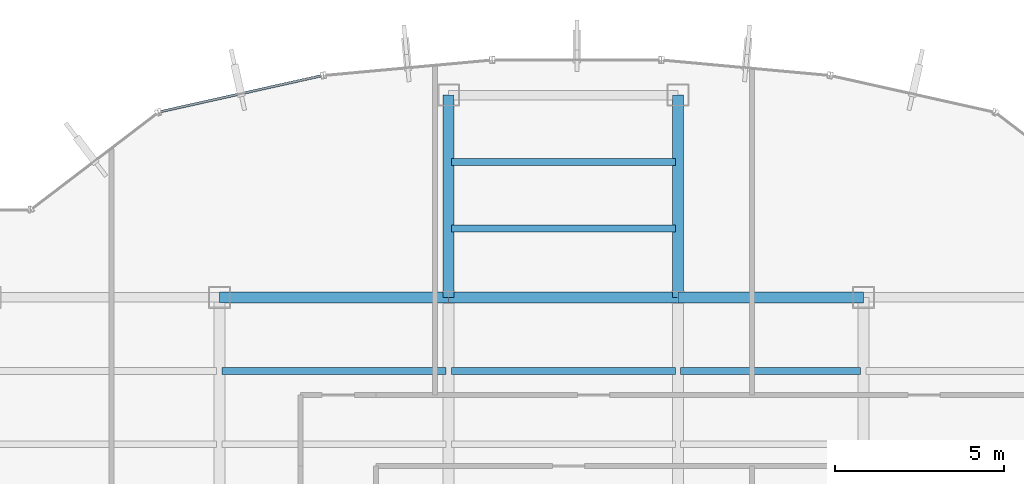
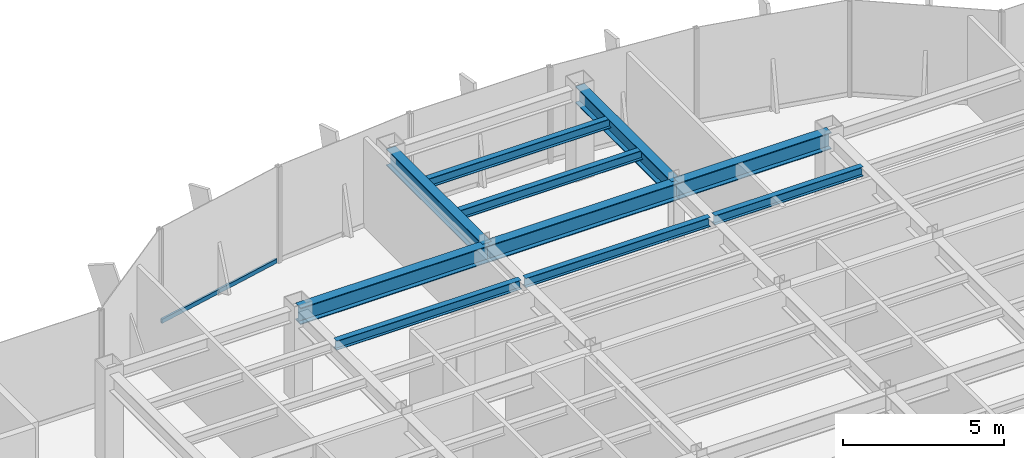
# One storey, part 15 of 25: 10 beams, 1 member, 1 element without a shape of its own.
"""IFC4 building model written with IfcOpenShell, lengths in metres."""

from ifc_helpers import new_model, si_unit, derived_unit, direction, frame, origin, origin_2d, place, context, subcontext, project, spatial, hollow_rectangle, i_section, extrude, source, transform, mapped, material, material_profile, profile_set, type_object, element, aggregate, save


model = new_model("IFC4")

# Units and contexts
model_context = context("Model", 3, precision=1e-05, world=origin(), true_north=direction((0.0, 1.0)))
body_context = subcontext(model_context, "Body", "Model", "MODEL_VIEW")
ifc_project = project(units=[si_unit("LENGTHUNIT", "METRE"), si_unit("AREAUNIT", "SQUARE_METRE"), si_unit("VOLUMEUNIT", "CUBIC_METRE"), si_unit("PLANEANGLEUNIT", "RADIAN"), si_unit("MASSUNIT", "GRAM", prefix="KILO"), derived_unit("THERMALTRANSMITTANCEUNIT", [(si_unit("POWERUNIT", "WATT"), 1), (si_unit("LENGTHUNIT", "METRE"), -2), (si_unit("THERMODYNAMICTEMPERATUREUNIT", "KELVIN"), -1)])], contexts=[model_context])

# Site, building, storey
site_placement = place(None, origin())
site = spatial("IfcSite", under=ifc_project, at=site_placement, CompositionType="ELEMENT")
building_placement = place(site_placement, origin())
building = spatial("IfcBuilding", under=site, at=building_placement, Name="Skarnbrae Concourse Arena and Tower", CompositionType="ELEMENT")
storey_placement = place(building_placement, frame((0.0, 0.0, 144.25)))
storey = spatial("IfcBuildingStorey", under=building, at=storey_placement, Name="L36", CompositionType="ELEMENT", Elevation=144.25)

# Beams
ifc_material_1 = material(Name="Steel CSA G40.21 350W", Category="steel")
ifc_material_profile_1 = material_profile(ifc_material_1, i_section(OverallWidth=0.3291015625, OverallDepth=0.635009765625, WebThickness=0.017822265625, FlangeThickness=0.031005859375, at=origin_2d()), Name="W610X241")
ifc_profile_set_1 = profile_set([ifc_material_profile_1], Name="Steel CSA G40.21 350W")
beam_type_1 = type_object("IfcBeamType", Name="BM-GIRD-W610X241", PredefinedType="BEAM", material=ifc_profile_set_1)
shared_shape_1 = source(origin(), body_context, "Body", "SweptSolid", [
    extrude(i_section(OverallWidth=0.3291015625, OverallDepth=0.635009765625, WebThickness=0.017822265625, FlangeThickness=0.031005859375, at=origin_2d()), origin(), (0.0, 0.0, 1.0), 6.800048828125),
])
for number, where, z_axis, x_axis, name in (
    (1, (14.39990234375, 34.39990234375, 3.08251953125), (1.0, 0.0, 0.0), (0.0, 1.0, 0.0), "L36 Primary E-W girder Y34.4-2"),
    (2, (21.199951171875, 34.39990234375, 3.08251953125), (1.0, 0.0, 0.0), (0.0, 1.0, 0.0), "L36 Primary E-W girder Y34.4-3"),
):
    element("IfcBeam", number, at=place(storey_placement, frame(where, z_axis=z_axis, x_axis=x_axis)), inside=storey, type_object=beam_type_1, Name=name, PredefinedType="BEAM", context=body_context, shape_type="MappedRepresentation", body=[
        mapped(shared_shape_1, transform((0.0, 0.0, 0.0))),
    ])
shared_shape_2 = source(origin(), body_context, "Body", "SweptSolid", [
    extrude(i_section(OverallWidth=0.3291015625, OverallDepth=0.635009765625, WebThickness=0.017822265625, FlangeThickness=0.031005859375, at=origin_2d()), origin(), (0.0, 0.0, 1.0), 5.5),
])
beam_1_placement = place(storey_placement, frame((28.0, 34.39990234375, 3.08251953125), z_axis=(1.0, 0.0, 0.0), x_axis=(0.0, 1.0, 0.0)))
element("IfcBeam", 3, at=beam_1_placement, inside=storey, type_object=beam_type_1, Name="L36 Primary E-W girder Y34.4-4", PredefinedType="BEAM", context=body_context, shape_type="MappedRepresentation", body=[
    mapped(shared_shape_2, transform((0.0, 0.0, 0.0))),
])
shared_shape_3 = source(origin(), body_context, "Body", "SweptSolid", [
    extrude(i_section(OverallWidth=0.3291015625, OverallDepth=0.635009765625, WebThickness=0.017822265625, FlangeThickness=0.031005859375, at=origin_2d()), origin(), (0.0, 0.0, 1.0), 6.0),
])
for number, where, z_axis, x_axis, name in (
    (4, (21.199951171875, 34.39990234375, 3.08251953125), (0.0, 1.0, 0.0), (-1.0, 0.0, 0.0), "L36 Primary N-S girder X21.2-4"),
    (5, (28.0, 34.39990234375, 3.08251953125), (0.0, 1.0, 0.0), (-1.0, 0.0, 0.0), "L36 Primary N-S girder X28.0-4"),
):
    element("IfcBeam", number, at=place(storey_placement, frame(where, z_axis=z_axis, x_axis=x_axis)), inside=storey, type_object=beam_type_1, Name=name, PredefinedType="BEAM", context=body_context, shape_type="MappedRepresentation", body=[
        mapped(shared_shape_3, transform((0.0, 0.0, 0.0))),
    ])
ifc_material_profile_2 = material_profile(ifc_material_1, i_section(OverallWidth=0.205078125, OverallDepth=0.35400390625, WebThickness=0.009521484375, FlangeThickness=0.016845703125, at=origin_2d()), Name="W360X79")
ifc_profile_set_2 = profile_set([ifc_material_profile_2], Name="Steel CSA G40.21 350W")
beam_type_2 = type_object("IfcBeamType", Name="BM-JOIST-W360X79", PredefinedType="JOIST", material=ifc_profile_set_2)
shared_shape_4 = source(origin(), body_context, "Body", "SweptSolid", [
    extrude(i_section(OverallWidth=0.205078125, OverallDepth=0.35400390625, WebThickness=0.009521484375, FlangeThickness=0.016845703125, at=origin_2d()), origin(), (0.0, 0.0, 1.0), 6.64013671875),
])
beam_2_placement = place(storey_placement, frame((14.47998046875, 32.221923828125, 3.222900390625), z_axis=(1.0, 0.0, 0.0), x_axis=(0.0, 1.0, 0.0)))
element("IfcBeam", 6, at=beam_2_placement, inside=storey, type_object=beam_type_2, Name="L36 Secondary floor joist 3.2.2", PredefinedType="JOIST", context=body_context, shape_type="MappedRepresentation", body=[
    mapped(shared_shape_4, transform((0.0, 0.0, 0.0))),
])
shared_shape_5 = source(origin(), body_context, "Body", "SweptSolid", [
    extrude(i_section(OverallWidth=0.205078125, OverallDepth=0.35400390625, WebThickness=0.009521484375, FlangeThickness=0.016845703125, at=origin_2d()), origin(), (0.0, 0.0, 1.0), 6.639892578125),
])
for number, where, z_axis, x_axis, name in (
    (7, (21.280029296875, 32.221923828125, 3.222900390625), (1.0, 0.0, 0.0), (0.0, 1.0, 0.0), "L36 Secondary floor joist 3.2.3"),
    (8, (21.280029296875, 36.43994140625, 3.222900390625), (1.0, 0.0, 0.0), (0.0, 1.0, 0.0), "L36 Secondary floor joist 4.1.1"),
    (9, (21.280029296875, 38.419921875, 3.222900390625), (1.0, 0.0, 0.0), (0.0, 1.0, 0.0), "L36 Secondary floor joist 4.2.1"),
):
    element("IfcBeam", number, at=place(storey_placement, frame(where, z_axis=z_axis, x_axis=x_axis)), inside=storey, type_object=beam_type_2, Name=name, PredefinedType="JOIST", context=body_context, shape_type="MappedRepresentation", body=[
        mapped(shared_shape_5, transform((0.0, 0.0, 0.0))),
    ])
shared_shape_6 = source(origin(), body_context, "Body", "SweptSolid", [
    extrude(i_section(OverallWidth=0.205078125, OverallDepth=0.35400390625, WebThickness=0.009521484375, FlangeThickness=0.016845703125, at=origin_2d()), origin(), (0.0, 0.0, 1.0), 5.33984375),
])
beam_3_placement = place(storey_placement, frame((28.080078125, 32.221923828125, 3.222900390625), z_axis=(1.0, 0.0, 0.0), x_axis=(0.0, 1.0, 0.0)))
element("IfcBeam", 10, at=beam_3_placement, inside=storey, type_object=beam_type_2, Name="L36 Secondary floor joist 3.2.4", PredefinedType="JOIST", context=body_context, shape_type="MappedRepresentation", body=[
    mapped(shared_shape_6, transform((0.0, 0.0, 0.0))),
])

# Curtain wall, member
ifc_material_2 = material(Name="Bronze anodised aluminium 6063-T6", Category="aluminium")
curtain_wall_type = type_object("IfcCurtainWallType", Name="CW-SYS-04-MIDZONE", PredefinedType="USERDEFINED", material=ifc_material_2)
curtain_wall_placement = place(storey_placement, origin())
curtain_wall = element("IfcCurtainWall", 11, at=curtain_wall_placement, inside=storey, type_object=curtain_wall_type, Name="L36 Unitised curtain wall CW-L36-E13", ObjectType="UNITISED CURTAIN WALL", PredefinedType="USERDEFINED")
ifc_material_profile_3 = material_profile(ifc_material_2, hollow_rectangle(XDim=0.074951171875, YDim=0.159912109375, WallThickness=0.00439453125, at=origin_2d()), Name="ALU-TRAN-75X160")
ifc_profile_set_3 = profile_set([ifc_material_profile_3], Name="Bronze anodised aluminium 6063-T6")
member_type = type_object("IfcMemberType", Name="CWT-CW-04", PredefinedType="USERDEFINED", material=ifc_profile_set_3)
shared_shape_7 = source(origin(), body_context, "Body", "SweptSolid", [
    extrude(hollow_rectangle(XDim=0.074951171875, YDim=0.159912109375, WallThickness=0.00439453125, at=origin_2d()), origin(), (0.0, 0.0, 1.0), 4.867919921875),
])
member_placement = place(storey_placement, frame((17.41455078125, 40.970458984375, 0.080078125), z_axis=(-0.975944534406, -0.218018957349, 0.0), x_axis=(0.218018957349, -0.975944534406, 0.0)))
member = element("IfcMember", 12, at=member_placement, type_object=member_type, Name="CW-L36-E13 Transom 1", ObjectType="TRANSOM", PredefinedType="USERDEFINED", context=body_context, shape_type="MappedRepresentation", body=[
    mapped(shared_shape_7, transform((0.0, 0.0, 0.0))),
])
aggregate(curtain_wall, [member])

save(model, "model.ifc")
